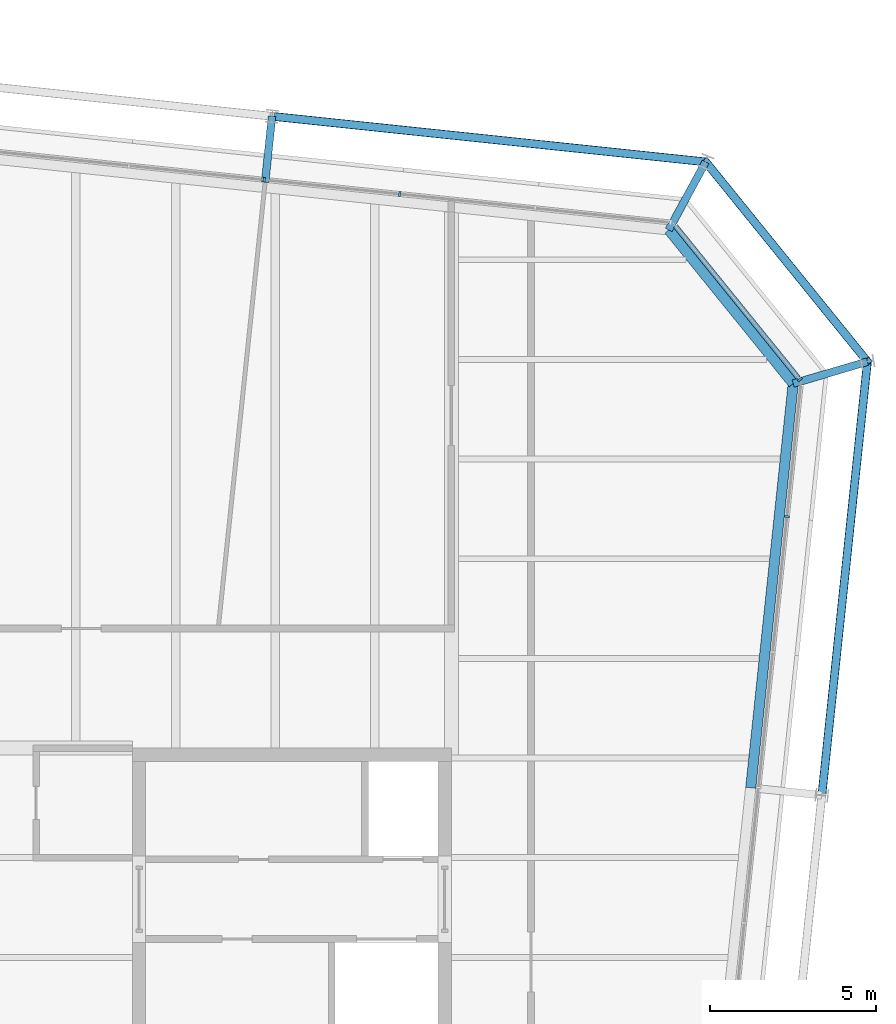
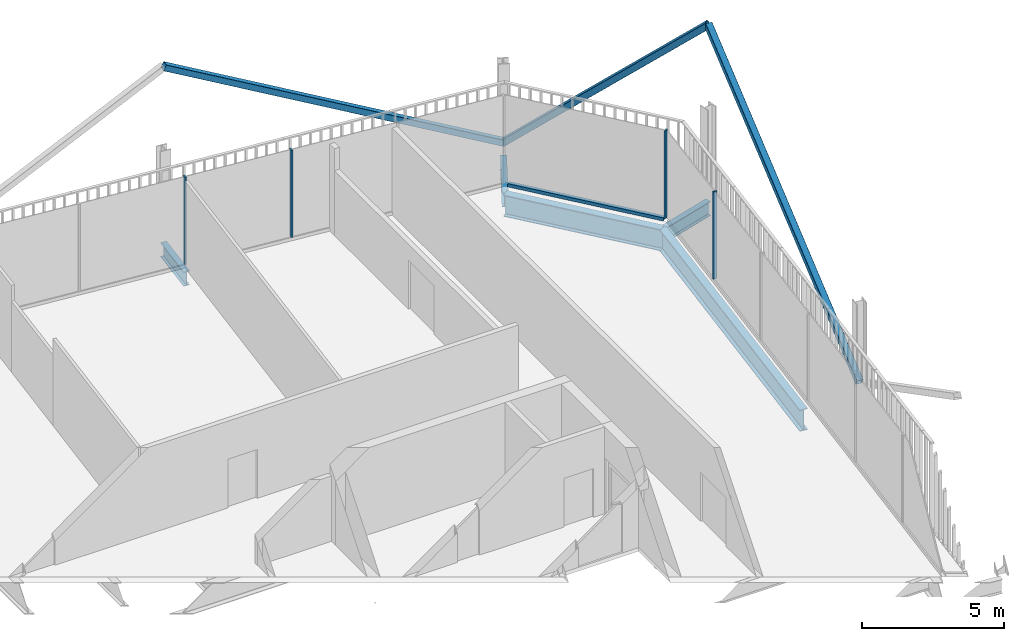
# One storey, part 15 of 21: 8 members, 5 beams, 3 elements without a shape of their own.
"""IFC4 building model written with IfcOpenShell, lengths in metres."""

from ifc_helpers import new_model, si_unit, direction, frame, origin, origin_2d, place, context, subcontext, project, spatial, rectangle, hollow_rectangle, i_section, extrude, material, layer, layer_set, material_profile, profile_set, type_object, element, aggregate, save


model = new_model("IFC4")

# Units and contexts
model_context = context("Model", 3, precision=1e-05, world=origin(), true_north=direction((0.0, 1.0)))
body_context = subcontext(model_context, "Body", "Model", "MODEL_VIEW")
ifc_project = project(units=[si_unit("LENGTHUNIT", "METRE"), si_unit("AREAUNIT", "SQUARE_METRE"), si_unit("VOLUMEUNIT", "CUBIC_METRE"), si_unit("PLANEANGLEUNIT", "RADIAN"), si_unit("MASSUNIT", "GRAM", prefix="KILO")], contexts=[model_context])

# Site, building, storey
site_placement = place(None, origin())
site = spatial("IfcSite", under=ifc_project, at=site_placement, CompositionType="ELEMENT")
building_placement = place(site_placement, origin())
building = spatial("IfcBuilding", under=site, at=building_placement, Name="Millrace Tower", CompositionType="ELEMENT")
storey_placement = place(building_placement, frame((0.0, 0.0, 334.300048828125)))
storey = spatial("IfcBuildingStorey", under=building, at=storey_placement, Name="L77", CompositionType="ELEMENT", Elevation=334.300048828125)

# Curtain wall, member
ifc_material_1 = material(Name="Aluminium and glass", Category="aluminium")
ifc_layer = layer(ifc_material_1, 0.14990234375)
ifc_layer_set = layer_set([ifc_layer], Name="Aluminium and glass")
curtain_wall_type = type_object("IfcCurtainWallType", Name="CW-1 office vision curtain wall", PredefinedType="NOTDEFINED", material=ifc_layer_set)
placement = place(storey_placement, origin())
curtain_wall_1 = element("IfcCurtainWall", 1, at=placement, inside=storey, type_object=curtain_wall_type, Name="Curtain wall E-F04 L77", PredefinedType="NOTDEFINED")
ifc_material_2 = material(Name="Aluminium", Category="aluminium")
ifc_material_profile_1 = material_profile(ifc_material_2, rectangle(XDim=0.06494140625, YDim=0.14990234375, at=origin_2d()))
ifc_profile_set_1 = profile_set([ifc_material_profile_1], Name="Aluminium")
member_type_1 = type_object("IfcMemberType", Name="CW-1 office vision curtain wall mullion", PredefinedType="MULLION", material=ifc_profile_set_1)
member_1_placement = place(storey_placement, frame((24.4033203125, 16.267822265625, 0.139892578125), z_axis=(0.0, 0.0, 1.0), x_axis=(0.104528455196, 0.994521896217, 0.0)))
member_1 = element("IfcMember", 2, at=member_1_placement, type_object=member_type_1, Name="CW1 mullion E-F04.9", PredefinedType="MULLION", context=body_context, shape_type="SweptSolid", body=[
    extrude(rectangle(XDim=0.06494140625, YDim=0.14990234375, at=origin_2d()), origin(), (0.0, 0.0, 1.0), 3.760009765625),
])
aggregate(curtain_wall_1, [member_1])

curtain_wall_2 = element("IfcCurtainWall", 3, at=placement, inside=storey, type_object=curtain_wall_type, Name="Curtain wall E-F05 L77", PredefinedType="NOTDEFINED")
member_2_placement = place(storey_placement, frame((24.791748046875, 20.393310546875, 0.139892578125), z_axis=(0.0, 0.0, 1.0), x_axis=(-0.629320278945, 0.777146052237, 0.0)))
member_2 = element("IfcMember", 4, at=member_2_placement, type_object=member_type_1, Name="CW1 mullion E-F05.1", PredefinedType="MULLION", context=body_context, shape_type="SweptSolid", body=[
    extrude(rectangle(XDim=0.06494140625, YDim=0.14990234375, at=origin_2d()), origin(), (0.0, 0.0, 1.0), 3.760009765625),
])

# Curtain wall, members
curtain_wall_3 = element("IfcCurtainWall", 5, at=placement, inside=storey, type_object=curtain_wall_type, Name="Curtain wall E-F06 L77", PredefinedType="NOTDEFINED")
member_3_placement = place(storey_placement, frame((12.747314453125, 25.98193359375, 0.139892578125), z_axis=(0.0, 0.0, 1.0), x_axis=(-0.994521896217, 0.104528455196, 0.0)))
member_3 = element("IfcMember", 6, at=member_3_placement, type_object=member_type_1, Name="CW1 mullion E-F06.3", PredefinedType="MULLION", context=body_context, shape_type="SweptSolid", body=[
    extrude(rectangle(XDim=0.06494140625, YDim=0.14990234375, at=origin_2d()), origin(), (0.0, 0.0, 1.0), 3.760009765625),
])
member_4_placement = place(storey_placement, frame((8.669921875, 26.410400390625, 0.139892578125), z_axis=(0.0, 0.0, 1.0), x_axis=(-0.994521896217, 0.104528455196, 0.0)))
member_4 = element("IfcMember", 7, at=member_4_placement, type_object=member_type_1, Name="CW1 mullion E-F06.4", PredefinedType="MULLION", context=body_context, shape_type="SweptSolid", body=[
    extrude(rectangle(XDim=0.06494140625, YDim=0.14990234375, at=origin_2d()), origin(), (0.0, 0.0, 1.0), 3.760009765625),
])
aggregate(curtain_wall_3, [member_3, member_4])

# Member
ifc_material_3 = material(Name="Aluminium", Category="aluminium")
ifc_material_profile_2 = material_profile(ifc_material_3, rectangle(XDim=0.14990234375, YDim=0.139892578125, at=origin_2d()))
ifc_profile_set_2 = profile_set([ifc_material_profile_2], Name="Aluminium")
member_type_2 = type_object("IfcMemberType", Name="CW-1 office vision curtain wall transom", PredefinedType="USERDEFINED", material=ifc_profile_set_2)
member_5_placement = place(storey_placement, frame((24.749267578125, 20.44580078125, 0.070068359375), z_axis=(-0.629321221277, 0.777145289151, 0.0), x_axis=(-0.777145289151, -0.629321221277, 0.0)))
member_5 = element("IfcMember", 8, at=member_5_placement, type_object=member_type_2, Name="CW1 transom E-F05.1", ObjectType="TRANSOM", PredefinedType="USERDEFINED", context=body_context, shape_type="SweptSolid", body=[
    extrude(rectangle(XDim=0.14990234375, YDim=0.139892578125, at=origin_2d()), origin(), (0.0, 0.0, 1.0), 5.881103515625),
])

aggregate(curtain_wall_2, [member_2, member_5])

# Members
ifc_material_4 = material(Name="Steel ASTM A500 Grade C", Category="steel")
ifc_material_profile_3 = material_profile(ifc_material_4, hollow_rectangle(XDim=0.25390625, YDim=0.25390625, WallThickness=0.009521484375, InnerFilletRadius=0.004638671875, OuterFilletRadius=0.014404296875, at=origin_2d()))
ifc_profile_set_3 = profile_set([ifc_material_profile_3], Name="Steel ASTM A500 Grade C")
member_type_3 = type_object("IfcMemberType", Name="Exoskeleton brace HSS10x10x3/8", PredefinedType="BRACE", material=ifc_profile_set_3)
member_6_placement = place(storey_placement, frame((25.457275390625, 7.879150390625, 0.39990234375), z_axis=(0.092236950483, 0.877571982182, 0.470488853274), x_axis=(-0.994521846076, 0.104528932251, 0.0)))
element("IfcMember", 9, at=member_6_placement, inside=storey, type_object=member_type_3, Name="BRC-E-L77-08", PredefinedType="BRACE", context=body_context, shape_type="SweptSolid", body=[
    extrude(hollow_rectangle(XDim=0.25390625, YDim=0.25390625, WallThickness=0.009521484375, InnerFilletRadius=0.004638671875, OuterFilletRadius=0.014404296875, at=origin_2d()), origin(), (0.0, 0.0, 1.0), 14.878173828125),
])
member_7_placement = place(storey_placement, frame((21.9599609375, 26.94921875, 0.39990234375), z_axis=(0.466694392708, -0.57631352586, 0.670864415308), x_axis=(0.777142728993, 0.62932438279, 0.0)))
element("IfcMember", 10, at=member_7_placement, inside=storey, type_object=member_type_3, Name="BRC-E-L77-09", PredefinedType="BRACE", context=body_context, shape_type="SweptSolid", body=[
    extrude(hollow_rectangle(XDim=0.25390625, YDim=0.25390625, WallThickness=0.009521484375, InnerFilletRadius=0.004638671875, OuterFilletRadius=0.014404296875, at=origin_2d()), origin(), (0.0, 0.0, 1.0), 10.434326171875),
])
member_8_placement = place(storey_placement, frame((21.9599609375, 26.94921875, 0.39990234375), z_axis=(-0.877571982182, 0.092236950483, 0.470488853274), x_axis=(-0.104528932251, -0.994521846076, 0.0)))
element("IfcMember", 11, at=member_8_placement, inside=storey, type_object=member_type_3, Name="BRC-E-L77-10", PredefinedType="BRACE", context=body_context, shape_type="SweptSolid", body=[
    extrude(hollow_rectangle(XDim=0.25390625, YDim=0.25390625, WallThickness=0.009521484375, InnerFilletRadius=0.004638671875, OuterFilletRadius=0.014404296875, at=origin_2d()), origin(), (0.0, 0.0, 1.0), 14.878173828125),
])

# Beams
ifc_material_5 = material(Name="Steel ASTM A992 Grade 50", Category="steel")
ifc_material_profile_4 = material_profile(ifc_material_5, i_section(OverallWidth=0.23046875, OverallDepth=0.6171875, WebThickness=0.01318359375, FlangeThickness=0.022216796875, FilletRadius=0.012939453125, at=origin_2d()))
ifc_profile_set_4 = profile_set([ifc_material_profile_4], Name="Steel ASTM A992 Grade 50")
beam_type_1 = type_object("IfcBeamType", Name="Link beam W24x94", PredefinedType="BEAM", material=ifc_profile_set_4)
beam_1_placement = place(storey_placement, frame((8.6943359375, 26.33251953125, -0.46875), z_axis=(0.104494148666, 0.99452550138, 0.0), x_axis=(-0.99452550138, 0.104494148666, 0.0)))
element("IfcBeam", 12, at=beam_1_placement, inside=storey, type_object=beam_type_1, Name="LNK-E-L77-S1-07", PredefinedType="BEAM", context=body_context, shape_type="SweptSolid", body=[
    extrude(i_section(OverallWidth=0.23046875, OverallDepth=0.6171875, WebThickness=0.01318359375, FlangeThickness=0.022216796875, FilletRadius=0.012939453125, at=origin_2d()), origin(), (0.0, 0.0, 1.0), 2.0),
])
for number, where, z_axis, x_axis, name in (
    (13, (20.84765625, 24.900634765625, -0.46875), (0.477163510307, 0.87881453358, 0.0), (-0.87881453358, 0.477163510307, 0.0), "LNK-E-L77-S1-08"),
    (14, (24.594482421875, 20.273681640625, -0.46875), (0.958815015936, 0.284031275065, 0.0), (-0.284031275065, 0.958815015936, 0.0), "LNK-E-L77-S1-09"),
):
    element("IfcBeam", number, at=place(storey_placement, frame(where, z_axis=z_axis, x_axis=x_axis)), inside=storey, type_object=beam_type_1, Name=name, PredefinedType="BEAM", context=body_context, shape_type="SweptSolid", body=[
        extrude(i_section(OverallWidth=0.23046875, OverallDepth=0.6171875, WebThickness=0.01318359375, FlangeThickness=0.022216796875, FilletRadius=0.012939453125, at=origin_2d()), origin(), (0.0, 0.0, 1.0), 2.3310546875),
    ])
ifc_material_6 = material(Name="Steel ASTM A992 Grade 50", Category="steel")
ifc_material_profile_5 = material_profile(ifc_material_6, i_section(OverallWidth=0.307373046875, OverallDepth=0.927001953125, WebThickness=0.01953125, FlangeThickness=0.031982421875, FilletRadius=0.01904296875, at=origin_2d()))
ifc_profile_set_5 = profile_set([ifc_material_profile_5], Name="Steel ASTM A992 Grade 50")
beam_type_2 = type_object("IfcBeamType", Name="Ring beam medium span W36x194", PredefinedType="SPANDREL", material=ifc_profile_set_5)
beam_2_placement = place(storey_placement, frame((24.594482421875, 20.273681640625, -0.62353515625), z_axis=(-0.104527955888, -0.994521948696, 0.0), x_axis=(0.994521948696, -0.104527955888, 0.0)))
element("IfcBeam", 15, at=beam_2_placement, inside=storey, type_object=beam_type_2, Name="RNG-E-L77-S1-09", PredefinedType="SPANDREL", context=body_context, shape_type="SweptSolid", body=[
    extrude(i_section(OverallWidth=0.307373046875, OverallDepth=0.927001953125, WebThickness=0.01953125, FlangeThickness=0.031982421875, FilletRadius=0.01904296875, at=origin_2d()), origin(), (0.0, 0.0, 1.0), 12.236572265625),
])
ifc_material_7 = material(Name="Steel ASTM A992 Grade 50", Category="steel")
ifc_material_profile_6 = material_profile(ifc_material_7, i_section(OverallWidth=0.307373046875, OverallDepth=0.927001953125, WebThickness=0.01953125, FlangeThickness=0.031982421875, FilletRadius=0.01904296875, at=origin_2d()))
ifc_profile_set_6 = profile_set([ifc_material_profile_6], Name="Steel ASTM A992 Grade 50")
beam_type_3 = type_object("IfcBeamType", Name="Ring beam short span W36x194", PredefinedType="SPANDREL", material=ifc_profile_set_6)
beam_3_placement = place(storey_placement, frame((20.84765625, 24.900634765625, -0.62353515625), z_axis=(0.629319722443, -0.777146502883, 0.0), x_axis=(0.777146502883, 0.629319722443, 0.0)))
element("IfcBeam", 16, at=beam_3_placement, inside=storey, type_object=beam_type_3, Name="RNG-E-L77-S1-08", PredefinedType="SPANDREL", context=body_context, shape_type="SweptSolid", body=[
    extrude(i_section(OverallWidth=0.307373046875, OverallDepth=0.927001953125, WebThickness=0.01953125, FlangeThickness=0.031982421875, FilletRadius=0.01904296875, at=origin_2d()), origin(), (0.0, 0.0, 1.0), 5.953857421875),
])

save(model, "model.ifc")
